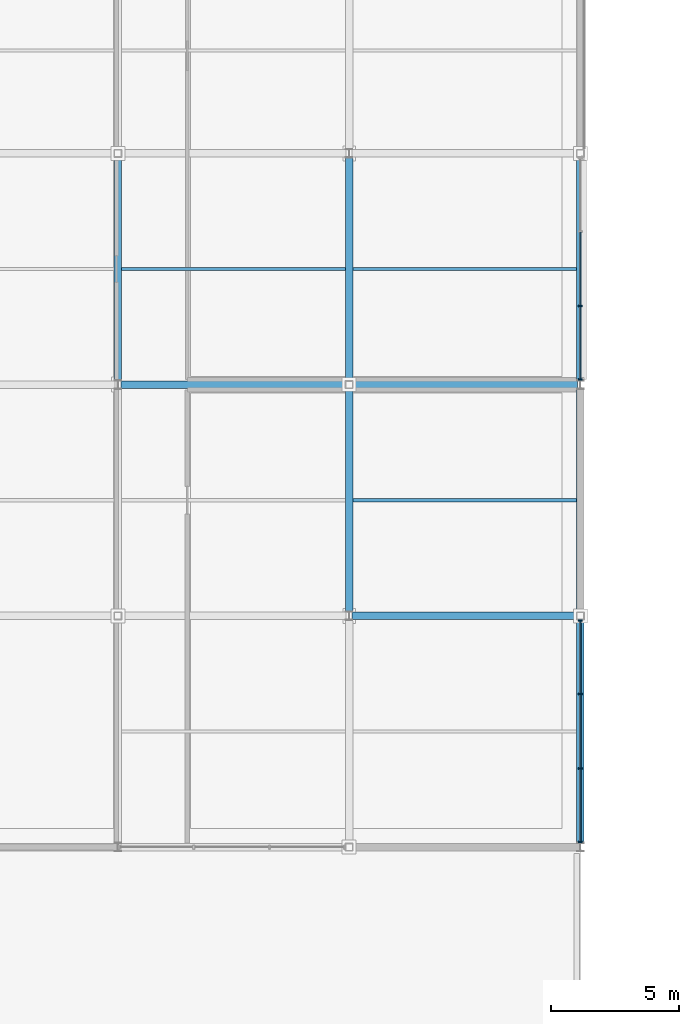
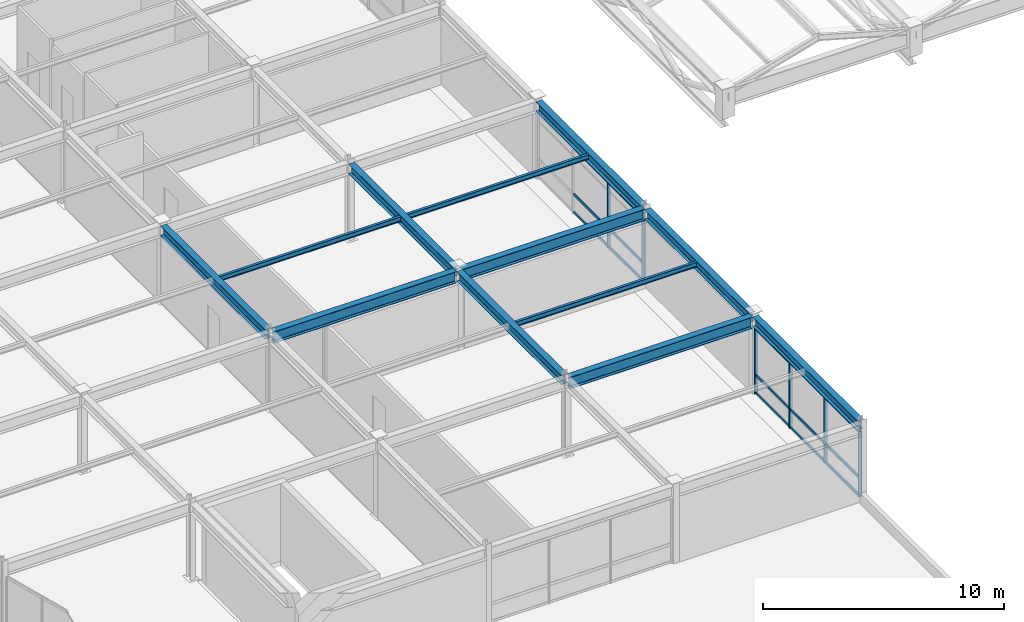
# One storey, part 26 of 108: 21 members, 12 beams, 2 elements without a shape of their own.
"""IFC4 building model written with IfcOpenShell, lengths in metres."""

from ifc_helpers import new_model, si_unit, direction, frame, origin, origin_2d, place, context, subcontext, project, spatial, rectangle, i_section, extrude, material, material_profile, profile_set, type_object, element, aggregate, save


model = new_model("IFC4")

# Units and contexts
model_context = context("Model", 3, precision=1e-05, world=origin(), true_north=direction((0.0, 1.0)))
body_context = subcontext(model_context, "Body", "Model", "MODEL_VIEW")
ifc_project = project(units=[si_unit("LENGTHUNIT", "METRE"), si_unit("AREAUNIT", "SQUARE_METRE"), si_unit("VOLUMEUNIT", "CUBIC_METRE"), si_unit("PLANEANGLEUNIT", "RADIAN"), si_unit("MASSUNIT", "GRAM", prefix="KILO")], contexts=[model_context])

# Site, building, storey
site_placement = place(None, origin())
site = spatial("IfcSite", under=ifc_project, at=site_placement, CompositionType="ELEMENT")
building_placement = place(site_placement, origin())
building = spatial("IfcBuilding", under=site, at=building_placement, Name="Suzunagisa Mobility Hub", CompositionType="ELEMENT")
storey_placement = place(building_placement, frame((0.0, 0.0, 9.300048828125)))
storey = spatial("IfcBuildingStorey", under=building, at=storey_placement, Name="L02", CompositionType="ELEMENT", Elevation=9.300048828125)

# Curtain wall, members
ifc_material_1 = material(Name="Thermally Broken Anodized Aluminum and Low-E Glazing", Category="aluminium")
curtain_wall_type = type_object("IfcCurtainWallType", Name="Unitised Curtain Wall CW-12 8750x3300", PredefinedType="USERDEFINED", material=ifc_material_1)
curtain_wall_1_placement = place(storey_placement, origin())
curtain_wall_1 = element("IfcCurtainWall", 1, at=curtain_wall_1_placement, inside=storey, type_object=curtain_wall_type, Name="L02 Unitised Curtain Wall CW-26", ObjectType="UNITISED CURTAIN WALL", PredefinedType="USERDEFINED")
ifc_material_2 = material(Name="Anodized Aluminum 6063-T6", Category="aluminium")
ifc_material_profile_1 = material_profile(ifc_material_2, rectangle(XDim=0.06494140625, YDim=0.139892578125, at=origin_2d()), Name="TRAN-65x140")
ifc_profile_set_1 = profile_set([ifc_material_profile_1], Name="Anodized Aluminum 6063-T6")
member_type_1 = type_object("IfcMemberType", Name="Curtain Wall Framing CM-01 TRAN-65x140", PredefinedType="USERDEFINED", material=ifc_profile_set_1)
member_1_placement = place(storey_placement, frame((36.0, 9.22802734375, 0.032470703125), z_axis=(0.0, 1.0, 0.0), x_axis=(-1.0, 0.0, 0.0)))
member_1 = element("IfcMember", 2, at=member_1_placement, type_object=member_type_1, Name="Curtain Wall Transom 26-T1.1", ObjectType="TRANSOM", PredefinedType="USERDEFINED", context=body_context, shape_type="SweptSolid", body=[
    extrude(rectangle(XDim=0.06494140625, YDim=0.139892578125, at=origin_2d()), origin(), (0.0, 0.0, 1.0), 2.807373046875),
])
member_2_placement = place(storey_placement, frame((36.0, 9.22802734375, 0.949951171875), z_axis=(0.0, 1.0, 0.0), x_axis=(-1.0, 0.0, 0.0)))
member_2 = element("IfcMember", 3, at=member_2_placement, type_object=member_type_1, Name="Curtain Wall Transom 26-T1.2", ObjectType="TRANSOM", PredefinedType="USERDEFINED", context=body_context, shape_type="SweptSolid", body=[
    extrude(rectangle(XDim=0.06494140625, YDim=0.139892578125, at=origin_2d()), origin(), (0.0, 0.0, 1.0), 2.807373046875),
])
member_3_placement = place(storey_placement, frame((36.0, 9.22802734375, 3.299560546875), z_axis=(0.0, 1.0, 0.0), x_axis=(-1.0, 0.0, 0.0)))
member_3 = element("IfcMember", 4, at=member_3_placement, type_object=member_type_1, Name="Curtain Wall Transom 26-T1.3", ObjectType="TRANSOM", PredefinedType="USERDEFINED", context=body_context, shape_type="SweptSolid", body=[
    extrude(rectangle(XDim=0.06494140625, YDim=0.139892578125, at=origin_2d()), origin(), (0.0, 0.0, 1.0), 2.807373046875),
])
member_4_placement = place(storey_placement, frame((36.0, 12.09130859375, 0.032470703125), z_axis=(0.0, 1.0, 0.0), x_axis=(-1.0, 0.0, 0.0)))
member_4 = element("IfcMember", 5, at=member_4_placement, type_object=member_type_1, Name="Curtain Wall Transom 26-T2.1", ObjectType="TRANSOM", PredefinedType="USERDEFINED", context=body_context, shape_type="SweptSolid", body=[
    extrude(rectangle(XDim=0.06494140625, YDim=0.139892578125, at=origin_2d()), origin(), (0.0, 0.0, 1.0), 2.83740234375),
])
member_5_placement = place(storey_placement, frame((36.0, 12.09130859375, 0.949951171875), z_axis=(0.0, 1.0, 0.0), x_axis=(-1.0, 0.0, 0.0)))
member_5 = element("IfcMember", 6, at=member_5_placement, type_object=member_type_1, Name="Curtain Wall Transom 26-T2.2", ObjectType="TRANSOM", PredefinedType="USERDEFINED", context=body_context, shape_type="SweptSolid", body=[
    extrude(rectangle(XDim=0.06494140625, YDim=0.139892578125, at=origin_2d()), origin(), (0.0, 0.0, 1.0), 2.83740234375),
])
member_6_placement = place(storey_placement, frame((36.0, 12.09130859375, 3.299560546875), z_axis=(0.0, 1.0, 0.0), x_axis=(-1.0, 0.0, 0.0)))
member_6 = element("IfcMember", 7, at=member_6_placement, type_object=member_type_1, Name="Curtain Wall Transom 26-T2.3", ObjectType="TRANSOM", PredefinedType="USERDEFINED", context=body_context, shape_type="SweptSolid", body=[
    extrude(rectangle(XDim=0.06494140625, YDim=0.139892578125, at=origin_2d()), origin(), (0.0, 0.0, 1.0), 2.83740234375),
])
member_7_placement = place(storey_placement, frame((36.0, 14.984619140625, 0.032470703125), z_axis=(0.0, 1.0, 0.0), x_axis=(-1.0, 0.0, 0.0)))
member_7 = element("IfcMember", 8, at=member_7_placement, type_object=member_type_1, Name="Curtain Wall Transom 26-T3.1", ObjectType="TRANSOM", PredefinedType="USERDEFINED", context=body_context, shape_type="SweptSolid", body=[
    extrude(rectangle(XDim=0.06494140625, YDim=0.139892578125, at=origin_2d()), origin(), (0.0, 0.0, 1.0), 2.807373046875),
])
member_8_placement = place(storey_placement, frame((36.0, 14.984619140625, 0.949951171875), z_axis=(0.0, 1.0, 0.0), x_axis=(-1.0, 0.0, 0.0)))
member_8 = element("IfcMember", 9, at=member_8_placement, type_object=member_type_1, Name="Curtain Wall Transom 26-T3.2", ObjectType="TRANSOM", PredefinedType="USERDEFINED", context=body_context, shape_type="SweptSolid", body=[
    extrude(rectangle(XDim=0.06494140625, YDim=0.139892578125, at=origin_2d()), origin(), (0.0, 0.0, 1.0), 2.807373046875),
])
member_9_placement = place(storey_placement, frame((36.0, 14.984619140625, 3.299560546875), z_axis=(0.0, 1.0, 0.0), x_axis=(-1.0, 0.0, 0.0)))
member_9 = element("IfcMember", 10, at=member_9_placement, type_object=member_type_1, Name="Curtain Wall Transom 26-T3.3", ObjectType="TRANSOM", PredefinedType="USERDEFINED", context=body_context, shape_type="SweptSolid", body=[
    extrude(rectangle(XDim=0.06494140625, YDim=0.139892578125, at=origin_2d()), origin(), (0.0, 0.0, 1.0), 2.807373046875),
])

curtain_wall_2_placement = place(storey_placement, origin())
curtain_wall_2 = element("IfcCurtainWall", 11, at=curtain_wall_2_placement, inside=storey, type_object=curtain_wall_type, Name="L02 Unitised Curtain Wall CW-27", ObjectType="UNITISED CURTAIN WALL", PredefinedType="USERDEFINED")
member_10_placement = place(storey_placement, frame((36.0, 27.22802734375, 0.032470703125), z_axis=(0.0, 1.0, 0.0), x_axis=(-1.0, 0.0, 0.0)))
member_10 = element("IfcMember", 12, at=member_10_placement, type_object=member_type_1, Name="Curtain Wall Transom 27-T1.1", ObjectType="TRANSOM", PredefinedType="USERDEFINED", context=body_context, shape_type="SweptSolid", body=[
    extrude(rectangle(XDim=0.06494140625, YDim=0.139892578125, at=origin_2d()), origin(), (0.0, 0.0, 1.0), 2.807373046875),
])
member_11_placement = place(storey_placement, frame((36.0, 27.22802734375, 0.949951171875), z_axis=(0.0, 1.0, 0.0), x_axis=(-1.0, 0.0, 0.0)))
member_11 = element("IfcMember", 13, at=member_11_placement, type_object=member_type_1, Name="Curtain Wall Transom 27-T1.2", ObjectType="TRANSOM", PredefinedType="USERDEFINED", context=body_context, shape_type="SweptSolid", body=[
    extrude(rectangle(XDim=0.06494140625, YDim=0.139892578125, at=origin_2d()), origin(), (0.0, 0.0, 1.0), 2.807373046875),
])
member_12_placement = place(storey_placement, frame((36.0, 27.22802734375, 3.299560546875), z_axis=(0.0, 1.0, 0.0), x_axis=(-1.0, 0.0, 0.0)))
member_12 = element("IfcMember", 14, at=member_12_placement, type_object=member_type_1, Name="Curtain Wall Transom 27-T1.3", ObjectType="TRANSOM", PredefinedType="USERDEFINED", context=body_context, shape_type="SweptSolid", body=[
    extrude(rectangle(XDim=0.06494140625, YDim=0.139892578125, at=origin_2d()), origin(), (0.0, 0.0, 1.0), 2.807373046875),
])
member_13_placement = place(storey_placement, frame((36.0, 30.09130859375, 0.032470703125), z_axis=(0.0, 1.0, 0.0), x_axis=(-1.0, 0.0, 0.0)))
member_13 = element("IfcMember", 15, at=member_13_placement, type_object=member_type_1, Name="Curtain Wall Transom 27-T2.1", ObjectType="TRANSOM", PredefinedType="USERDEFINED", context=body_context, shape_type="SweptSolid", body=[
    extrude(rectangle(XDim=0.06494140625, YDim=0.139892578125, at=origin_2d()), origin(), (0.0, 0.0, 1.0), 2.83740234375),
])
member_14_placement = place(storey_placement, frame((36.0, 30.09130859375, 0.949951171875), z_axis=(0.0, 1.0, 0.0), x_axis=(-1.0, 0.0, 0.0)))
member_14 = element("IfcMember", 16, at=member_14_placement, type_object=member_type_1, Name="Curtain Wall Transom 27-T2.2", ObjectType="TRANSOM", PredefinedType="USERDEFINED", context=body_context, shape_type="SweptSolid", body=[
    extrude(rectangle(XDim=0.06494140625, YDim=0.139892578125, at=origin_2d()), origin(), (0.0, 0.0, 1.0), 2.83740234375),
])
member_15_placement = place(storey_placement, frame((36.0, 30.09130859375, 3.299560546875), z_axis=(0.0, 1.0, 0.0), x_axis=(-1.0, 0.0, 0.0)))
member_15 = element("IfcMember", 17, at=member_15_placement, type_object=member_type_1, Name="Curtain Wall Transom 27-T2.3", ObjectType="TRANSOM", PredefinedType="USERDEFINED", context=body_context, shape_type="SweptSolid", body=[
    extrude(rectangle(XDim=0.06494140625, YDim=0.139892578125, at=origin_2d()), origin(), (0.0, 0.0, 1.0), 2.83740234375),
])

# Member
ifc_material_profile_2 = material_profile(ifc_material_2, rectangle(XDim=0.06005859375, YDim=0.14990234375, at=origin_2d()), Name="MULL-60x150")
ifc_profile_set_2 = profile_set([ifc_material_profile_2], Name="Anodized Aluminum 6063-T6")
member_type_2 = type_object("IfcMemberType", Name="Curtain Wall Framing CM-03 MULL-60x150", PredefinedType="MULLION", material=ifc_profile_set_2)
member_16_placement = place(storey_placement, frame((36.0, 9.199951171875, 0.0), z_axis=(0.0, 0.0, 1.0), x_axis=(0.0, 1.0, 0.0)))
member_16 = element("IfcMember", 18, at=member_16_placement, type_object=member_type_2, Name="Curtain Wall Mullion 26-M1", PredefinedType="MULLION", context=body_context, shape_type="SweptSolid", body=[
    extrude(rectangle(XDim=0.06005859375, YDim=0.14990234375, at=origin_2d()), origin(), (0.0, 0.0, 1.0), 3.33203125),
])

member_17_placement = place(storey_placement, frame((36.0, 12.063232421875, 0.0), z_axis=(0.0, 0.0, 1.0), x_axis=(0.0, 1.0, 0.0)))
member_17 = element("IfcMember", 19, at=member_17_placement, type_object=member_type_2, Name="Curtain Wall Mullion 26-M2", PredefinedType="MULLION", context=body_context, shape_type="SweptSolid", body=[
    extrude(rectangle(XDim=0.06005859375, YDim=0.14990234375, at=origin_2d()), origin(), (0.0, 0.0, 1.0), 3.33203125),
])

member_18_placement = place(storey_placement, frame((36.0, 14.956787109375, 0.0), z_axis=(0.0, 0.0, 1.0), x_axis=(0.0, 1.0, 0.0)))
member_18 = element("IfcMember", 20, at=member_18_placement, type_object=member_type_2, Name="Curtain Wall Mullion 26-M3", PredefinedType="MULLION", context=body_context, shape_type="SweptSolid", body=[
    extrude(rectangle(XDim=0.06005859375, YDim=0.14990234375, at=origin_2d()), origin(), (0.0, 0.0, 1.0), 3.33203125),
])

member_19_placement = place(storey_placement, frame((36.0, 17.820068359375, 0.0), z_axis=(0.0, 0.0, 1.0), x_axis=(0.0, 1.0, 0.0)))
member_19 = element("IfcMember", 21, at=member_19_placement, type_object=member_type_2, Name="Curtain Wall Mullion 26-M4", PredefinedType="MULLION", context=body_context, shape_type="SweptSolid", body=[
    extrude(rectangle(XDim=0.06005859375, YDim=0.14990234375, at=origin_2d()), origin(), (0.0, 0.0, 1.0), 3.33203125),
])

aggregate(curtain_wall_1, [member_16, member_17, member_18, member_19, member_1, member_2, member_3, member_4, member_5, member_6, member_7, member_8, member_9])

member_20_placement = place(storey_placement, frame((36.0, 27.199951171875, 0.0), z_axis=(0.0, 0.0, 1.0), x_axis=(0.0, 1.0, 0.0)))
member_20 = element("IfcMember", 22, at=member_20_placement, type_object=member_type_2, Name="Curtain Wall Mullion 27-M1", PredefinedType="MULLION", context=body_context, shape_type="SweptSolid", body=[
    extrude(rectangle(XDim=0.06005859375, YDim=0.14990234375, at=origin_2d()), origin(), (0.0, 0.0, 1.0), 3.33203125),
])

member_21_placement = place(storey_placement, frame((36.0, 30.063232421875, 0.0), z_axis=(0.0, 0.0, 1.0), x_axis=(0.0, 1.0, 0.0)))
member_21 = element("IfcMember", 23, at=member_21_placement, type_object=member_type_2, Name="Curtain Wall Mullion 27-M2", PredefinedType="MULLION", context=body_context, shape_type="SweptSolid", body=[
    extrude(rectangle(XDim=0.06005859375, YDim=0.14990234375, at=origin_2d()), origin(), (0.0, 0.0, 1.0), 3.33203125),
])

aggregate(curtain_wall_2, [member_20, member_21, member_10, member_11, member_12, member_13, member_14, member_15])

# Beams
ifc_material_3 = material(Name="Steel SN490B", Category="steel")
ifc_material_profile_3 = material_profile(ifc_material_3, i_section(OverallWidth=0.300048828125, OverallDepth=0.488037109375, WebThickness=0.010986328125, FlangeThickness=0.01806640625, FilletRadius=0.012939453125, at=origin_2d()), Name="H-488x300x11x18")
ifc_profile_set_3 = profile_set([ifc_material_profile_3], Name="Steel SN490B")
beam_type_1 = type_object("IfcBeamType", Name="Steel Beam BM-06 H-488x300x11x18", PredefinedType="BEAM", material=ifc_profile_set_3)
for number, where, z_axis, x_axis, name in (
    (24, (18.0, 27.166015625, 3.676025390625), (0.0, 1.0, 0.0), (-1.0, 0.0, 0.0), "L02 Primary Girder GY-311"),
    (25, (27.0, 18.166015625, 3.676025390625), (0.0, 1.0, 0.0), (-1.0, 0.0, 0.0), "L02 Primary Girder GY-316"),
    (26, (27.0, 27.14599609375, 3.676025390625), (0.0, 1.0, 0.0), (-1.0, 0.0, 0.0), "L02 Primary Girder GY-317"),
    (27, (36.0, 9.166015625, 3.676025390625), (0.0, 1.0, 0.0), (-1.0, 0.0, 0.0), "L02 Primary Girder GY-321"),
    (28, (36.0, 18.14599609375, 3.676025390625), (0.0, 1.0, 0.0), (-1.0, 0.0, 0.0), "L02 Primary Girder GY-322"),
    (29, (36.0, 27.166015625, 3.676025390625), (0.0, 1.0, 0.0), (-1.0, 0.0, 0.0), "L02 Primary Girder GY-323"),
):
    element("IfcBeam", number, at=place(storey_placement, frame(where, z_axis=z_axis, x_axis=x_axis)), inside=storey, type_object=beam_type_1, Name=name, PredefinedType="BEAM", context=body_context, shape_type="SweptSolid", body=[
        extrude(i_section(OverallWidth=0.300048828125, OverallDepth=0.488037109375, WebThickness=0.010986328125, FlangeThickness=0.01806640625, FilletRadius=0.012939453125, at=origin_2d()), origin(), (0.0, 0.0, 1.0), 8.68798828125),
    ])
ifc_material_profile_4 = material_profile(ifc_material_3, i_section(OverallWidth=0.300048828125, OverallDepth=0.587890625, WebThickness=0.011962890625, FlangeThickness=0.02001953125, FilletRadius=0.012939453125, at=origin_2d()), Name="H-588x300x12x20")
ifc_profile_set_4 = profile_set([ifc_material_profile_4], Name="Steel SN490B")
beam_type_2 = type_object("IfcBeamType", Name="Steel Beam BM-16 H-588x300x12x20", PredefinedType="BEAM", material=ifc_profile_set_4)
for number, where, z_axis, x_axis, name in (
    (30, (27.12109375, 18.0, 3.6259765625), (1.0, 0.0, 0.0), (0.0, 1.0, 0.0), "L02 Primary Girder GX-277"),
    (31, (18.12109375, 27.0, 3.6259765625), (1.0, 0.0, 0.0), (0.0, 1.0, 0.0), "L02 Primary Girder GX-280"),
    (32, (27.14599609375, 27.0, 3.6259765625), (1.0, 0.0, 0.0), (0.0, 1.0, 0.0), "L02 Primary Girder GX-281"),
):
    element("IfcBeam", number, at=place(storey_placement, frame(where, z_axis=z_axis, x_axis=x_axis)), inside=storey, type_object=beam_type_2, Name=name, PredefinedType="BEAM", context=body_context, shape_type="SweptSolid", body=[
        extrude(i_section(OverallWidth=0.300048828125, OverallDepth=0.587890625, WebThickness=0.011962890625, FlangeThickness=0.02001953125, FilletRadius=0.012939453125, at=origin_2d()), origin(), (0.0, 0.0, 1.0), 8.73291015625),
    ])
ifc_material_4 = material(Name="Steel SN400B", Category="steel")
ifc_material_profile_5 = material_profile(ifc_material_4, i_section(OverallWidth=0.125, OverallDepth=0.25, WebThickness=0.006103515625, FlangeThickness=0.009033203125, FilletRadius=0.008056640625, at=origin_2d()), Name="H-250x125x6x9")
ifc_profile_set_5 = profile_set([ifc_material_profile_5], Name="Steel SN400B")
beam_type_3 = type_object("IfcBeamType", Name="Steel Beam BM-21 H-250x125x6x9", PredefinedType="JOIST", material=ifc_profile_set_5)
for number, where, z_axis, x_axis, name in (
    (33, (18.14990234375, 31.5, 3.794921875), (1.0, 0.0, 0.0), (0.0, 1.0, 0.0), "L02 Composite Floor Joist J-339"),
    (34, (27.14990234375, 22.5, 3.794921875), (1.0, 0.0, 0.0), (0.0, 1.0, 0.0), "L02 Composite Floor Joist J-344"),
    (35, (27.14990234375, 31.5, 3.794921875), (1.0, 0.0, 0.0), (0.0, 1.0, 0.0), "L02 Composite Floor Joist J-345"),
):
    element("IfcBeam", number, at=place(storey_placement, frame(where, z_axis=z_axis, x_axis=x_axis)), inside=storey, type_object=beam_type_3, Name=name, PredefinedType="JOIST", context=body_context, shape_type="SweptSolid", body=[
        extrude(i_section(OverallWidth=0.125, OverallDepth=0.25, WebThickness=0.006103515625, FlangeThickness=0.009033203125, FilletRadius=0.008056640625, at=origin_2d()), origin(), (0.0, 0.0, 1.0), 8.7001953125),
    ])

save(model, "model.ifc")
